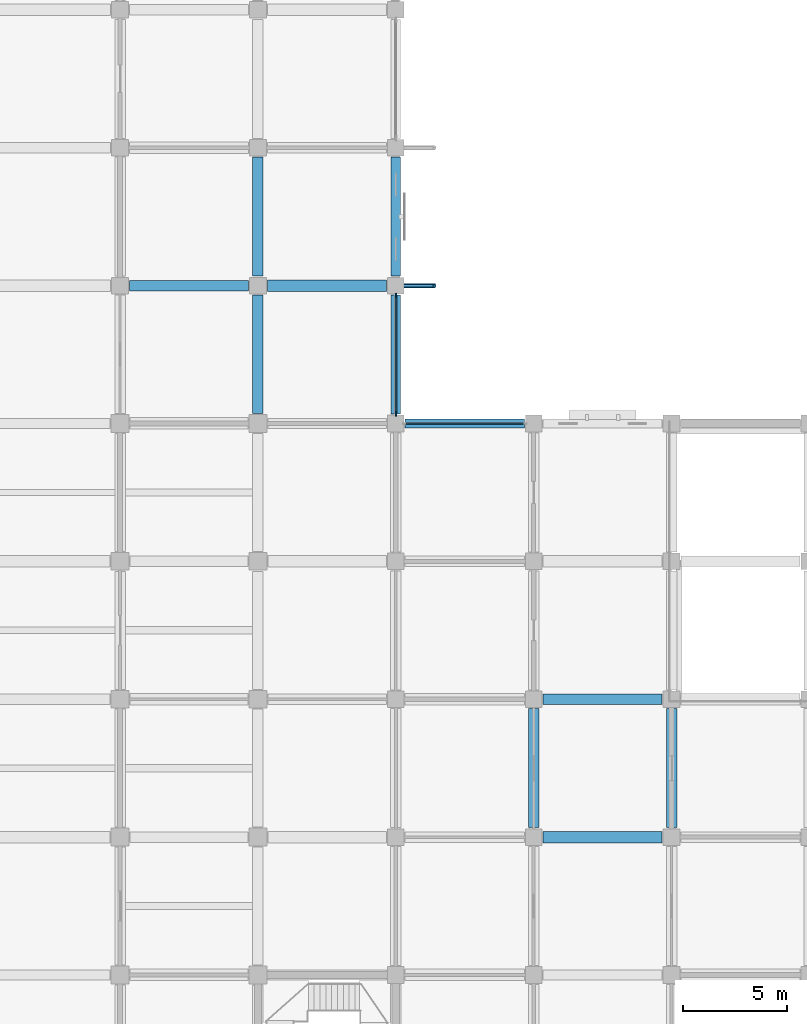
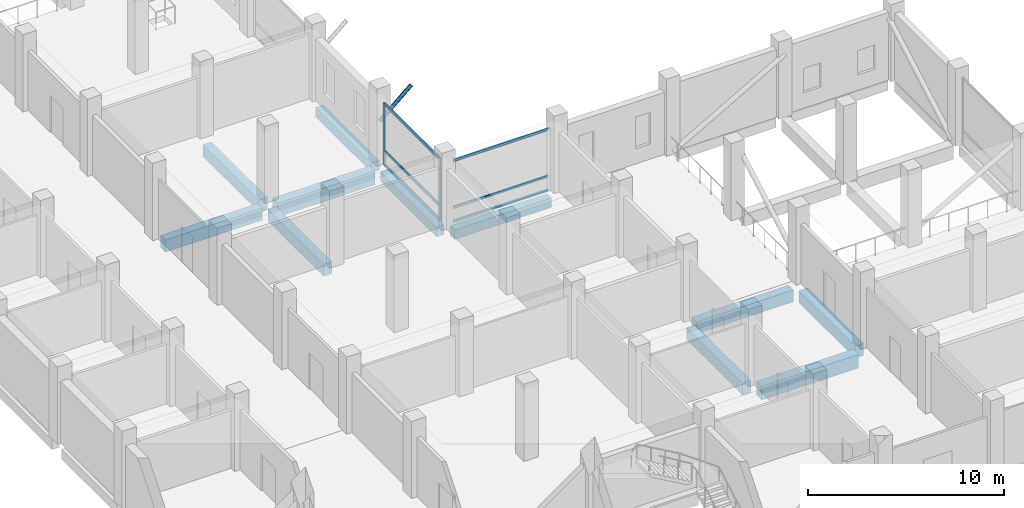
# One storey, part 5 of 34: 11 beams, 9 members, 2 elements without a shape of their own.
"""IFC4 building model written with IfcOpenShell, lengths in metres."""

from ifc_helpers import new_model, si_unit, direction, frame, origin, origin_2d, place, context, subcontext, project, spatial, rectangle, hollow_circle, extrude, material, material_profile, profile_set, type_object, element, aggregate, save


model = new_model("IFC4")

# Units and contexts
model_context = context("Model", 3, precision=1e-05, world=origin(), true_north=direction((0.0, 1.0)))
body_context = subcontext(model_context, "Body", "Model", "MODEL_VIEW")
ifc_project = project(units=[si_unit("LENGTHUNIT", "METRE"), si_unit("AREAUNIT", "SQUARE_METRE"), si_unit("VOLUMEUNIT", "CUBIC_METRE"), si_unit("PLANEANGLEUNIT", "RADIAN"), si_unit("MASSUNIT", "GRAM", prefix="KILO")], contexts=[model_context])

# Site, building, storey
site_placement = place(None, origin())
site = spatial("IfcSite", under=ifc_project, at=site_placement, CompositionType="ELEMENT")
building_placement = place(site_placement, origin())
building = spatial("IfcBuilding", under=site, at=building_placement, Name="Rusizi Kubbe Research Institute", CompositionType="ELEMENT")
storey_placement = place(building_placement, frame((0.0, 0.0, 5.39990234375)))
storey = spatial("IfcBuildingStorey", under=building, at=storey_placement, Name="L01", CompositionType="ELEMENT", Elevation=5.39990234375)

# Beams
ifc_material_1 = material(Name="Concrete C40/50", Category="concrete")
ifc_material_profile_1 = material_profile(ifc_material_1, rectangle(XDim=0.449951171875, YDim=0.60009765625, at=origin_2d()), Name="RC450x600")
ifc_profile_set_1 = profile_set([ifc_material_profile_1], Name="Concrete C40/50")
beam_type_1 = type_object("IfcBeamType", Name="BM-RC450x600", PredefinedType="SPANDREL", material=ifc_profile_set_1)
for number, where, z_axis, x_axis, name in (
    (1, (26.85009765625, 52.800048828125, -0.64990234375), (1.0, 0.0, 0.0), (0.0, 1.0, 0.0), "Grid Beam H L01 (4,8)"),
    (2, (26.39990234375, 53.25, -0.64990234375), (0.0, 1.0, 0.0), (-1.0, 0.0, 0.0), "Grid Beam V L01 (4,8)"),
    (3, (26.39990234375, 59.85009765625, -0.64990234375), (0.0, 1.0, 0.0), (-1.0, 0.0, 0.0), "Grid Beam V L01 (4,9)"),
):
    element("IfcBeam", number, at=place(storey_placement, frame(where, z_axis=z_axis, x_axis=x_axis)), inside=storey, type_object=beam_type_1, Name=name, PredefinedType="SPANDREL", context=body_context, shape_type="SweptSolid", body=[
        extrude(rectangle(XDim=0.449951171875, YDim=0.60009765625, at=origin_2d()), origin(), (0.0, 0.0, 1.0), 5.699951171875),
    ])
ifc_material_2 = material(Name="Concrete C45/55", Category="concrete")
ifc_material_profile_2 = material_profile(ifc_material_2, rectangle(XDim=0.5, YDim=0.75, at=origin_2d()), Name="RC500x750B")
ifc_profile_set_2 = profile_set([ifc_material_profile_2], Name="Concrete C45/55")
beam_type_2 = type_object("IfcBeamType", Name="BM-RC500x750", PredefinedType="BEAM", material=ifc_profile_set_2)
beam_1_placement = place(storey_placement, frame((13.64990234375, 59.39990234375, -0.724853515625), z_axis=(1.0, 0.0, 0.0), x_axis=(0.0, 1.0, 0.0)))
element("IfcBeam", 4, at=beam_1_placement, inside=storey, type_object=beam_type_2, Name="Grid Beam H L01 (2,9)", PredefinedType="BEAM", context=body_context, shape_type="SweptSolid", body=[
    extrude(rectangle(XDim=0.5, YDim=0.75, at=origin_2d()), origin(), (0.0, 0.0, 1.0), 5.7001953125),
])
beam_2_placement = place(storey_placement, frame((33.449951171875, 39.60009765625, -0.724853515625), z_axis=(1.0, 0.0, 0.0), x_axis=(0.0, 1.0, 0.0)))
element("IfcBeam", 5, at=beam_2_placement, inside=storey, type_object=beam_type_2, Name="Grid Beam H L01 (5,6)", PredefinedType="BEAM", context=body_context, shape_type="SweptSolid", body=[
    extrude(rectangle(XDim=0.5, YDim=0.75, at=origin_2d()), origin(), (0.0, 0.0, 1.0), 5.699951171875),
])
beam_3_placement = place(storey_placement, frame((19.800048828125, 53.27490234375, -0.724853515625), z_axis=(0.0, 1.0, 0.0), x_axis=(-1.0, 0.0, 0.0)))
element("IfcBeam", 6, at=beam_3_placement, inside=storey, type_object=beam_type_2, Name="Grid Beam V L01 (3,8)", PredefinedType="BEAM", context=body_context, shape_type="SweptSolid", body=[
    extrude(rectangle(XDim=0.5, YDim=0.75, at=origin_2d()), origin(), (0.0, 0.0, 1.0), 5.675048828125),
])
for number, where, z_axis, x_axis, name in (
    (7, (19.800048828125, 59.85009765625, -0.724853515625), (0.0, 1.0, 0.0), (-1.0, 0.0, 0.0), "Grid Beam V L01 (3,9)"),
    (8, (33.0, 33.449951171875, -0.724853515625), (0.0, 1.0, 0.0), (-1.0, 0.0, 0.0), "Grid Beam V L01 (5,5)"),
    (9, (39.60009765625, 33.449951171875, -0.724853515625), (0.0, 1.0, 0.0), (-1.0, 0.0, 0.0), "Grid Beam V L01 (6,5)"),
):
    element("IfcBeam", number, at=place(storey_placement, frame(where, z_axis=z_axis, x_axis=x_axis)), inside=storey, type_object=beam_type_2, Name=name, PredefinedType="BEAM", context=body_context, shape_type="SweptSolid", body=[
        extrude(rectangle(XDim=0.5, YDim=0.75, at=origin_2d()), origin(), (0.0, 0.0, 1.0), 5.699951171875),
    ])
ifc_material_3 = material(Name="Concrete C45/55", Category="concrete")
ifc_material_profile_3 = material_profile(ifc_material_3, rectangle(XDim=0.550048828125, YDim=0.85009765625, at=origin_2d()), Name="RC550x850")
ifc_profile_set_3 = profile_set([ifc_material_profile_3], Name="Concrete C45/55")
beam_type_3 = type_object("IfcBeamType", Name="BM-RC550x850", PredefinedType="BEAM", material=ifc_profile_set_3)
for number, where, z_axis, x_axis, name in (
    (10, (20.25, 59.39990234375, -0.77490234375), (1.0, 0.0, 0.0), (0.0, 1.0, 0.0), "Grid Beam H L01 (3,9)"),
    (11, (33.449951171875, 33.0, -0.77490234375), (1.0, 0.0, 0.0), (0.0, 1.0, 0.0), "Grid Beam H L01 (5,5)"),
):
    element("IfcBeam", number, at=place(storey_placement, frame(where, z_axis=z_axis, x_axis=x_axis)), inside=storey, type_object=beam_type_3, Name=name, PredefinedType="BEAM", context=body_context, shape_type="SweptSolid", body=[
        extrude(rectangle(XDim=0.550048828125, YDim=0.85009765625, at=origin_2d()), origin(), (0.0, 0.0, 1.0), 5.699951171875),
    ])

# Member
ifc_material_4 = material(Name="Steel S355", Category="steel")
ifc_material_profile_4 = material_profile(ifc_material_4, hollow_circle(Radius=0.109619140625, WallThickness=0.008056640625, at=origin_2d()), Name="CHS 219.1x8.0")
ifc_profile_set_4 = profile_set([ifc_material_profile_4], Name="Steel S355")
member_type_1 = type_object("IfcMemberType", Name="MB-CHS219", PredefinedType="BRACE", material=ifc_profile_set_4)
member_1_placement = place(storey_placement, frame((26.39990234375, 59.39990234375, 2.4501953125), z_axis=(0.756409887843, 0.0, 0.654097914362), x_axis=(0.0, 1.0, 0.0)))
element("IfcMember", 12, at=member_1_placement, inside=storey, type_object=member_type_1, Name="Cumba Diagonal Corbel Brace L02-1S", PredefinedType="BRACE", context=body_context, shape_type="SweptSolid", body=[
    extrude(hollow_circle(Radius=0.109619140625, WallThickness=0.008056640625, at=origin_2d()), origin(), (0.0, 0.0, 1.0), 2.44580078125),
])

# Curtain wall, members
ifc_material_5 = material(Name="Thermally Broken Aluminium and Low-E Glazing", Category="aluminium")
curtain_wall_type = type_object("IfcCurtainWallType", Name="CW-17", PredefinedType="NOTDEFINED", material=ifc_material_5)
curtain_wall_1_placement = place(storey_placement, origin())
curtain_wall_1 = element("IfcCurtainWall", 13, at=curtain_wall_1_placement, inside=storey, type_object=curtain_wall_type, Name="Unitised Facade Curtain Wall CW-L01-V-04-08", PredefinedType="NOTDEFINED")
ifc_material_6 = material(Name="Aluminium Alloy 6063-T6", Category="aluminium")
ifc_material_profile_5 = material_profile(ifc_material_6, rectangle(XDim=0.070068359375, YDim=0.219970703125, at=origin_2d()), Name="ALU-M 70x220")
ifc_profile_set_5 = profile_set([ifc_material_profile_5], Name="Aluminium Alloy 6063-T6")
member_type_2 = type_object("IfcMemberType", Name="ML-04", PredefinedType="MULLION", material=ifc_profile_set_5)
member_2_placement = place(storey_placement, frame((26.39990234375, 53.264892578125, 0.0), z_axis=(0.0, 0.0, 1.0), x_axis=(-1.0, 0.0, 0.0)))
member_2 = element("IfcMember", 14, at=member_2_placement, type_object=member_type_2, Name="CW-17 mullion 1", PredefinedType="MULLION", context=body_context, shape_type="SweptSolid", body=[
    extrude(rectangle(XDim=0.070068359375, YDim=0.219970703125, at=origin_2d()), origin(), (0.0, 0.0, 1.0), 3.85009765625),
])
member_3_placement = place(storey_placement, frame((26.39990234375, 58.93505859375, 0.0), z_axis=(0.0, 0.0, 1.0), x_axis=(-1.0, 0.0, 0.0)))
member_3 = element("IfcMember", 15, at=member_3_placement, type_object=member_type_2, Name="CW-17 mullion 2", PredefinedType="MULLION", context=body_context, shape_type="SweptSolid", body=[
    extrude(rectangle(XDim=0.070068359375, YDim=0.219970703125, at=origin_2d()), origin(), (0.0, 0.0, 1.0), 3.85009765625),
])

curtain_wall_2_placement = place(storey_placement, origin())
curtain_wall_2 = element("IfcCurtainWall", 16, at=curtain_wall_2_placement, inside=storey, type_object=curtain_wall_type, Name="Unitised Facade Curtain Wall CW-L01-H-04-08", PredefinedType="NOTDEFINED")
ifc_material_7 = material(Name="Aluminium Alloy 6063-T6", Category="aluminium")
ifc_material_profile_6 = material_profile(ifc_material_7, rectangle(XDim=0.06494140625, YDim=0.159912109375, at=origin_2d()), Name="ALU-T 65x160")
ifc_profile_set_6 = profile_set([ifc_material_profile_6], Name="Aluminium Alloy 6063-T6")
member_type_3 = type_object("IfcMemberType", Name="TR-03", PredefinedType="USERDEFINED", material=ifc_profile_set_6)
member_4_placement = place(storey_placement, frame((26.905029296875, 52.800048828125, 0.03271484375), z_axis=(1.0, 0.0, 0.0), x_axis=(0.0, 1.0, 0.0)))
member_4 = element("IfcMember", 17, at=member_4_placement, type_object=member_type_3, Name="CW-17 transom 1.1", ObjectType="TRANSOM", PredefinedType="USERDEFINED", context=body_context, shape_type="SweptSolid", body=[
    extrude(rectangle(XDim=0.06494140625, YDim=0.159912109375, at=origin_2d()), origin(), (0.0, 0.0, 1.0), 5.590087890625),
])
member_5_placement = place(storey_placement, frame((26.905029296875, 52.800048828125, 0.900146484375), z_axis=(1.0, 0.0, 0.0), x_axis=(0.0, 1.0, 0.0)))
member_5 = element("IfcMember", 18, at=member_5_placement, type_object=member_type_3, Name="CW-17 transom 1.2", ObjectType="TRANSOM", PredefinedType="USERDEFINED", context=body_context, shape_type="SweptSolid", body=[
    extrude(rectangle(XDim=0.06494140625, YDim=0.159912109375, at=origin_2d()), origin(), (0.0, 0.0, 1.0), 5.590087890625),
])
member_6_placement = place(storey_placement, frame((26.905029296875, 52.800048828125, 3.817626953125), z_axis=(1.0, 0.0, 0.0), x_axis=(0.0, 1.0, 0.0)))
member_6 = element("IfcMember", 19, at=member_6_placement, type_object=member_type_3, Name="CW-17 transom 1.3", ObjectType="TRANSOM", PredefinedType="USERDEFINED", context=body_context, shape_type="SweptSolid", body=[
    extrude(rectangle(XDim=0.06494140625, YDim=0.159912109375, at=origin_2d()), origin(), (0.0, 0.0, 1.0), 5.590087890625),
])
aggregate(curtain_wall_2, [member_4, member_5, member_6])

# Member
ifc_material_8 = material(Name="Aluminium Alloy 6063-T6", Category="aluminium")
ifc_material_profile_7 = material_profile(ifc_material_8, rectangle(XDim=0.070068359375, YDim=0.18994140625, at=origin_2d()), Name="ALU-T 70x190")
ifc_profile_set_7 = profile_set([ifc_material_profile_7], Name="Aluminium Alloy 6063-T6")
member_type_4 = type_object("IfcMemberType", Name="TR-04", PredefinedType="USERDEFINED", material=ifc_profile_set_7)
member_7_placement = place(storey_placement, frame((26.39990234375, 53.300048828125, 0.03515625), z_axis=(0.0, 1.0, 0.0), x_axis=(-1.0, 0.0, 0.0)))
member_7 = element("IfcMember", 20, at=member_7_placement, type_object=member_type_4, Name="CW-17 transom 1.1", ObjectType="TRANSOM", PredefinedType="USERDEFINED", context=body_context, shape_type="SweptSolid", body=[
    extrude(rectangle(XDim=0.070068359375, YDim=0.18994140625, at=origin_2d()), origin(), (0.0, 0.0, 1.0), 5.599853515625),
])

member_8_placement = place(storey_placement, frame((26.39990234375, 53.300048828125, 0.900146484375), z_axis=(0.0, 1.0, 0.0), x_axis=(-1.0, 0.0, 0.0)))
member_8 = element("IfcMember", 21, at=member_8_placement, type_object=member_type_4, Name="CW-17 transom 1.2", ObjectType="TRANSOM", PredefinedType="USERDEFINED", context=body_context, shape_type="SweptSolid", body=[
    extrude(rectangle(XDim=0.070068359375, YDim=0.18994140625, at=origin_2d()), origin(), (0.0, 0.0, 1.0), 5.599853515625),
])

member_9_placement = place(storey_placement, frame((26.39990234375, 53.300048828125, 3.815185546875), z_axis=(0.0, 1.0, 0.0), x_axis=(-1.0, 0.0, 0.0)))
member_9 = element("IfcMember", 22, at=member_9_placement, type_object=member_type_4, Name="CW-17 transom 1.3", ObjectType="TRANSOM", PredefinedType="USERDEFINED", context=body_context, shape_type="SweptSolid", body=[
    extrude(rectangle(XDim=0.070068359375, YDim=0.18994140625, at=origin_2d()), origin(), (0.0, 0.0, 1.0), 5.599853515625),
])

aggregate(curtain_wall_1, [member_2, member_3, member_7, member_8, member_9])

save(model, "model.ifc")
